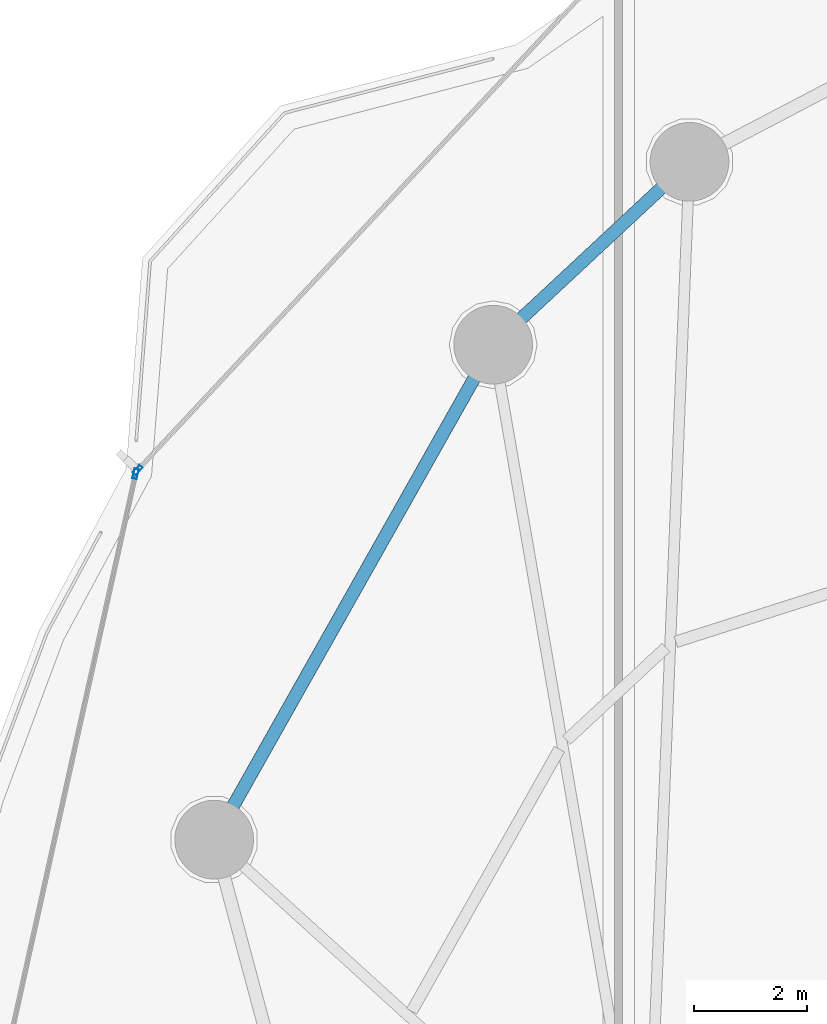
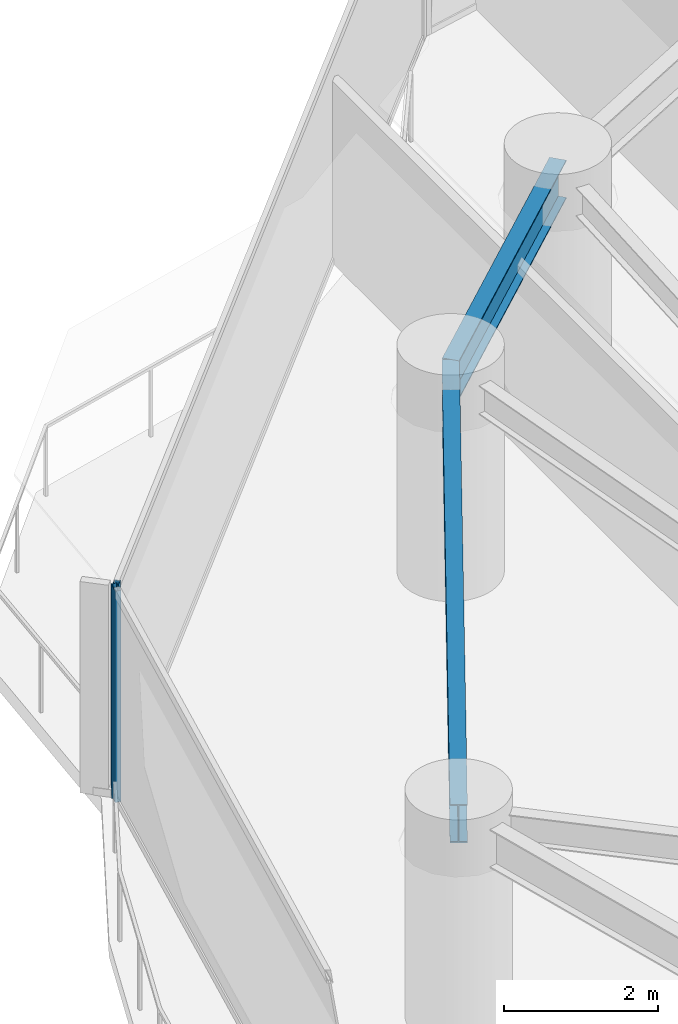
# One storey, part 15 of 33: 2 beams, 2 members, 2 elements without a shape of their own.
"""IFC4 building model written with IfcOpenShell, lengths in metres."""

from ifc_helpers import new_model, si_unit, direction, frame, origin, origin_2d, place, context, subcontext, project, spatial, hollow_rectangle, i_section, extrude, material, layer, layer_set, material_profile, profile_set, type_object, element, aggregate, save


model = new_model("IFC4")

# Units and contexts
model_context = context("Model", 3, precision=1e-05, world=origin(), true_north=direction((0.0, 1.0)))
body_context = subcontext(model_context, "Body", "Model", "MODEL_VIEW")
ifc_project = project(units=[si_unit("LENGTHUNIT", "METRE"), si_unit("AREAUNIT", "SQUARE_METRE"), si_unit("VOLUMEUNIT", "CUBIC_METRE"), si_unit("PLANEANGLEUNIT", "RADIAN"), si_unit("MASSUNIT", "GRAM", prefix="KILO")], contexts=[model_context])

# Site, building, storey
site_placement = place(None, origin())
site = spatial("IfcSite", under=ifc_project, at=site_placement, CompositionType="ELEMENT")
building_placement = place(site_placement, origin())
building = spatial("IfcBuilding", under=site, at=building_placement, Name="Kazevale Care Tower and Concert Hall", CompositionType="ELEMENT")
storey_placement = place(building_placement, frame((0.0, 0.0, 45.60009765625)))
storey = spatial("IfcBuildingStorey", under=building, at=storey_placement, Name="L11", CompositionType="ELEMENT", Elevation=45.60009765625)

# Curtain wall, member
ifc_material_1 = material(Name="Aluminium 6063-T6 and Low-E Glass", Category="aluminium")
ifc_layer_1 = layer(ifc_material_1, 0.179931640625)
ifc_layer_set_1 = layer_set([ifc_layer_1], Name="Aluminium 6063-T6 and Low-E Glass")
curtain_wall_type_1 = type_object("IfcCurtainWallType", Name="Convex Checkerboard Finned Curtain Wall CW-2", PredefinedType="NOTDEFINED", material=ifc_layer_set_1)
curtain_wall_1_placement = place(storey_placement, origin())
curtain_wall_1 = element("IfcCurtainWall", 1, at=curtain_wall_1_placement, inside=storey, type_object=curtain_wall_type_1, Name="cw:L11:f14", PredefinedType="NOTDEFINED")
ifc_material_2 = material(Name="Aluminium 6063-T6", Category="aluminium")
ifc_material_profile_1 = material_profile(ifc_material_2, hollow_rectangle(XDim=0.080078125, YDim=0.179931640625, WallThickness=0.0048828125, at=origin_2d()), Name="ALU80x180x5")
ifc_profile_set_1 = profile_set([ifc_material_profile_1], Name="Aluminium 6063-T6")
member_type_1 = type_object("IfcMemberType", Name="CW-2 Mullion ALU80x180x5", PredefinedType="MULLION", material=ifc_profile_set_1)
member_1_placement = place(storey_placement, frame((12.94921875, 49.9521484375, 0.0), z_axis=(0.0, 0.0, 1.0), x_axis=(-0.730363049987, 0.683059159381, 0.0)))
member_1 = element("IfcMember", 2, at=member_1_placement, type_object=member_type_1, Name="CW-2 mullion 1", PredefinedType="MULLION", context=body_context, shape_type="SweptSolid", body=[
    extrude(hollow_rectangle(XDim=0.080078125, YDim=0.179931640625, WallThickness=0.0048828125, at=origin_2d()), origin(), (0.0, 0.0, 1.0), 3.35986328125),
])
aggregate(curtain_wall_1, [member_1])

ifc_layer_2 = layer(ifc_material_1, 0.179931640625)
ifc_layer_set_2 = layer_set([ifc_layer_2], Name="Aluminium 6063-T6 and Low-E Glass")
curtain_wall_type_2 = type_object("IfcCurtainWallType", Name="Waist & Upper Residential Curtain Wall CW-4", PredefinedType="NOTDEFINED", material=ifc_layer_set_2)
curtain_wall_2_placement = place(storey_placement, origin())
curtain_wall_2 = element("IfcCurtainWall", 3, at=curtain_wall_2_placement, inside=storey, type_object=curtain_wall_type_2, Name="cw:L11:f13", PredefinedType="NOTDEFINED")
ifc_material_profile_2 = material_profile(ifc_material_2, hollow_rectangle(XDim=0.080078125, YDim=0.179931640625, WallThickness=0.0048828125, at=origin_2d()), Name="ALU80x180x5")
ifc_profile_set_2 = profile_set([ifc_material_profile_2], Name="Aluminium 6063-T6")
member_type_2 = type_object("IfcMemberType", Name="CW-4 Mullion ALU80x180x5", PredefinedType="MULLION", material=ifc_profile_set_2)
member_2_placement = place(storey_placement, frame((12.913330078125, 49.884033203125, 0.0), z_axis=(0.0, 0.0, 1.0), x_axis=(-0.976291328475, 0.216460716862, 0.0)))
member_2 = element("IfcMember", 4, at=member_2_placement, type_object=member_type_2, Name="CW-4 mullion 2", PredefinedType="MULLION", context=body_context, shape_type="SweptSolid", body=[
    extrude(hollow_rectangle(XDim=0.080078125, YDim=0.179931640625, WallThickness=0.0048828125, at=origin_2d()), origin(), (0.0, 0.0, 1.0), 3.35986328125),
])
aggregate(curtain_wall_2, [member_2])

# Beams
ifc_material_3 = material(Name="Steel ASTM A572 Gr 50", Category="steel")
ifc_material_profile_3 = material_profile(ifc_material_3, i_section(OverallWidth=0.22900390625, OverallDepth=0.612060546875, WebThickness=0.011962890625, FlangeThickness=0.01953125, at=origin_2d()), Name="W610x125")
ifc_profile_set_3 = profile_set([ifc_material_profile_3], Name="Steel ASTM A572 Gr 50")
beam_type = type_object("IfcBeamType", Name="Ring Spandrel Beam W610x125", PredefinedType="SPANDREL", material=ifc_profile_set_3)
beam_1_placement = place(storey_placement, frame((22.760009765625, 55.429931640625, 3.053955078125), z_axis=(-0.731820896228, -0.681497010884, 0.0), x_axis=(0.681497010884, -0.731820896228, 0.0)))
element("IfcBeam", 5, at=beam_1_placement, inside=storey, type_object=beam_type, Name="beam:L11:ring:07", PredefinedType="SPANDREL", context=body_context, shape_type="SweptSolid", body=[
    extrude(i_section(OverallWidth=0.22900390625, OverallDepth=0.612060546875, WebThickness=0.011962890625, FlangeThickness=0.01953125, at=origin_2d()), origin(), (0.0, 0.0, 1.0), 4.768798828125),
])
beam_2_placement = place(storey_placement, frame((19.27001953125, 52.179931640625, 3.053955078125), z_axis=(-0.491008061092, -0.87115502865, 0.0), x_axis=(0.87115502865, -0.491008061092, 0.0)))
element("IfcBeam", 6, at=beam_2_placement, inside=storey, type_object=beam_type, Name="beam:L11:ring:08", PredefinedType="SPANDREL", context=body_context, shape_type="SweptSolid", body=[
    extrude(i_section(OverallWidth=0.22900390625, OverallDepth=0.612060546875, WebThickness=0.011962890625, FlangeThickness=0.01953125, at=origin_2d()), origin(), (0.0, 0.0, 1.0), 10.1015625),
])

save(model, "model.ifc")
